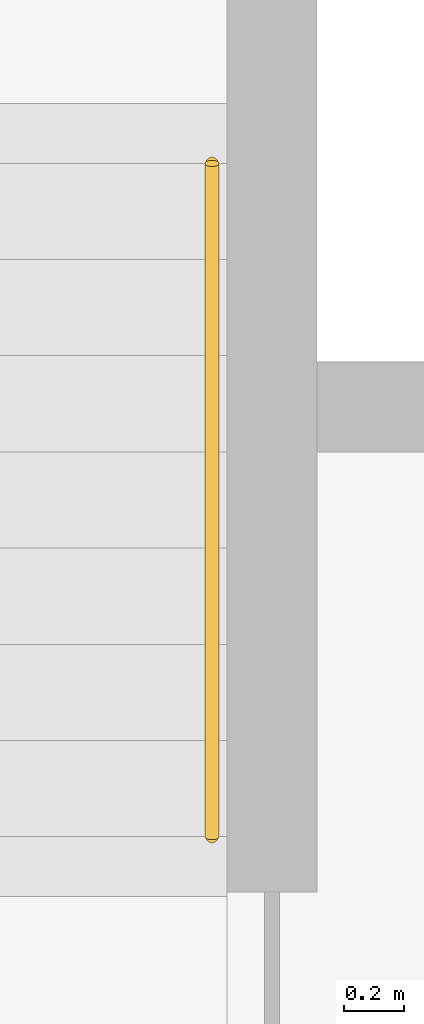
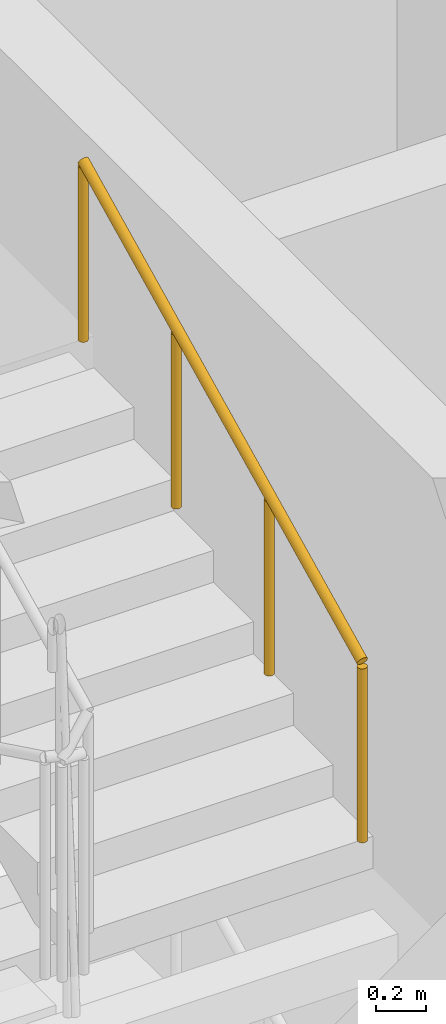
# One storey, part 16 of 17: 1 railing.
"""IFC4 building model written with IfcOpenShell, lengths in metres."""

from ifc_helpers import new_model, si_unit, direction, frame, origin, origin_2d, place, context, subcontext, project, spatial, circle, extrude, material, type_object, element, save


model = new_model("IFC4")

# Units and contexts
model_context = context("Model", 3, precision=1e-05, world=origin(), true_north=direction((0.0, 1.0)))
body_context = subcontext(model_context, "Body", "Model", "MODEL_VIEW")
ifc_project = project(units=[si_unit("LENGTHUNIT", "METRE"), si_unit("AREAUNIT", "SQUARE_METRE"), si_unit("VOLUMEUNIT", "CUBIC_METRE"), si_unit("PLANEANGLEUNIT", "RADIAN"), si_unit("MASSUNIT", "GRAM", prefix="KILO")], contexts=[model_context])

# Site, building, storey
site_placement = place(None, origin())
site = spatial("IfcSite", under=ifc_project, at=site_placement, CompositionType="ELEMENT")
building_placement = place(site_placement, origin())
building = spatial("IfcBuilding", under=site, at=building_placement, Name="Firuza Gate Tower and Library", CompositionType="ELEMENT")
storey_placement = place(building_placement, frame((0.0, 0.0, 326.60009765625)))
storey = spatial("IfcBuildingStorey", under=building, at=storey_placement, Name="L80", CompositionType="ELEMENT", Elevation=326.60009765625)

# Railing
ifc_material = material(Name="Steel S355", Category="steel")
railing_type = type_object("IfcRailingType", Name="Stair handrail 900", PredefinedType="HANDRAIL", material=ifc_material)
railing_placement = place(storey_placement, frame((74.949951171875, 89.469970703125, 2.65625)))
element("IfcRailing", 1, at=railing_placement, inside=storey, type_object=railing_type, Name="L80 ST3 stair handrail 3", PredefinedType="HANDRAIL", context=body_context, shape_type="SweptSolid", body=[
    extrude(circle(Radius=0.02392578125, at=origin_2d()), frame((0.0, 0.0, 0.8759765625), z_axis=(0.0, 0.898598948553, 0.438770930737), x_axis=(-1.0, 0.0, 0.0)), (0.0, 0.0, 1.0), 2.49267578125),
    extrude(circle(Radius=0.02099609375, at=origin_2d()), origin(), (0.0, 0.0, 1.0), 0.851806640625),
    extrude(circle(Radius=0.02099609375, at=origin_2d()), frame((0.0, 0.74658203125, 0.364501953125)), (0.0, 0.0, 1.0), 0.851806640625),
    extrude(circle(Radius=0.02099609375, at=origin_2d()), frame((0.0, 1.493408203125, 0.729248046875)), (0.0, 0.0, 1.0), 0.851806640625),
    extrude(circle(Radius=0.02099609375, at=origin_2d()), frame((0.0, 2.239990234375, 1.09375)), (0.0, 0.0, 1.0), 0.851806640625),
])

save(model, "model.ifc")
